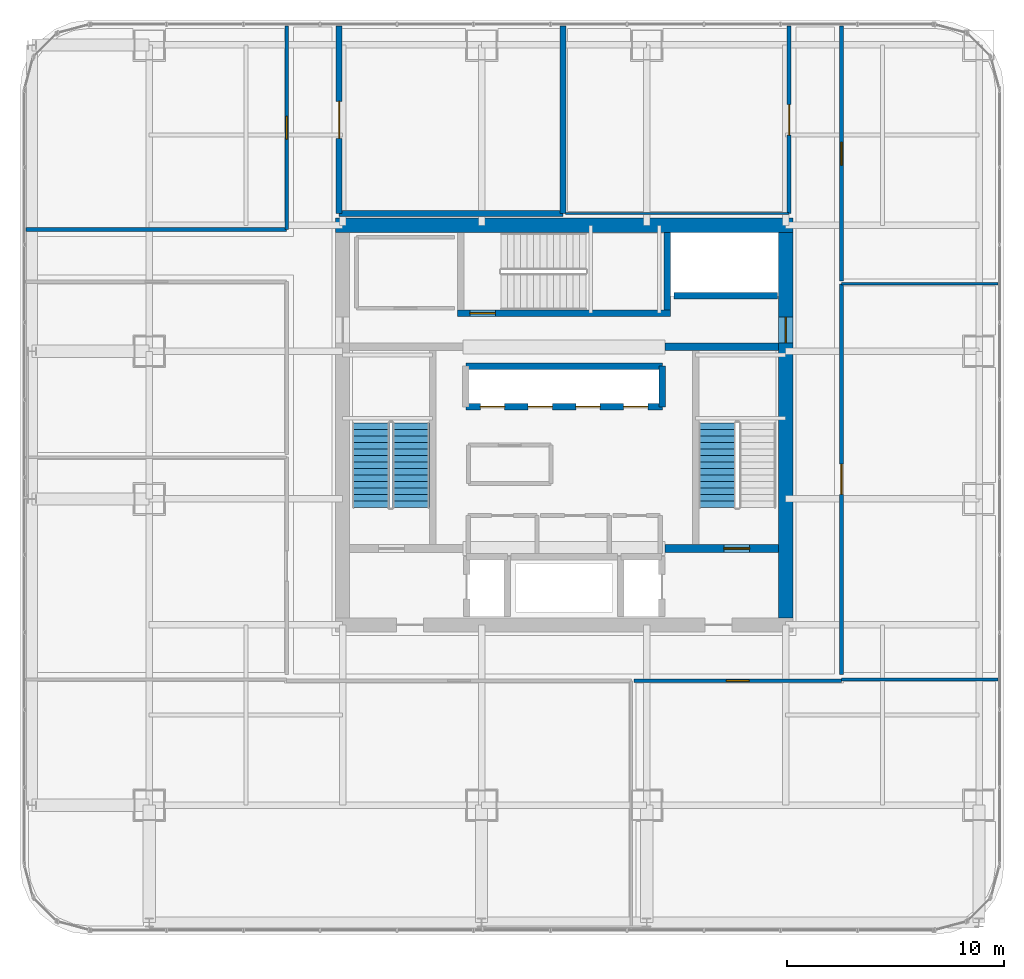
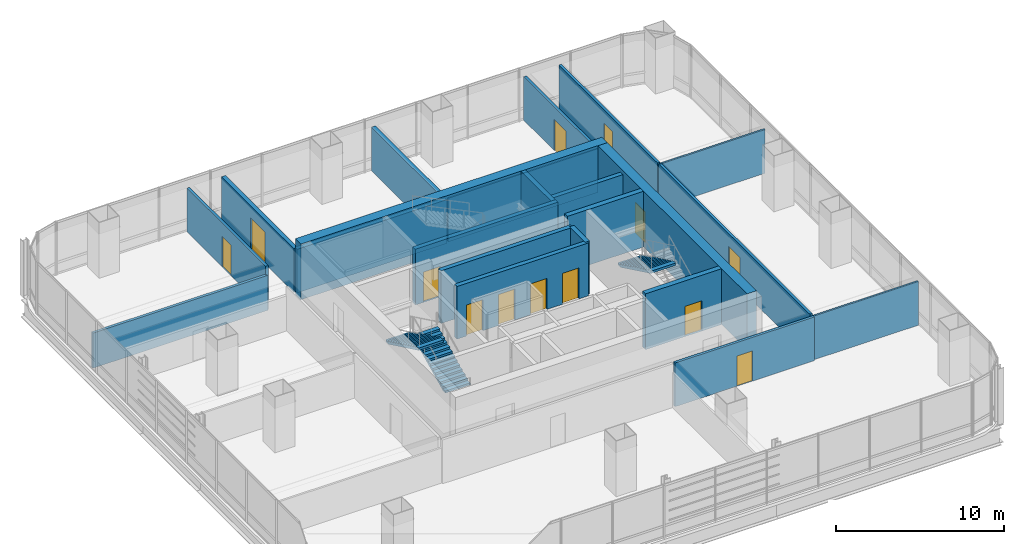
# One storey, part 30 of 36: 22 walls, 13 doors, 3 stair flights, 13 openings, 2 elements without a shape of their own.
"""IFC4 building model written with IfcOpenShell, lengths in metres."""

from ifc_helpers import new_model, si_unit, direction, frame, frame_2d, origin, place, context, subcontext, project, spatial, polyline, rectangle, outline, extrude, material, layer, layer_set, type_object, element, fill, aggregate, save


model = new_model("IFC4")

# Units and contexts
model_context = context("Model", 3, precision=1e-05, world=origin(), true_north=direction((0.0, 1.0)))
body_context = subcontext(model_context, "Body", "Model", "MODEL_VIEW")
ifc_project = project(units=[si_unit("LENGTHUNIT", "METRE"), si_unit("AREAUNIT", "SQUARE_METRE"), si_unit("VOLUMEUNIT", "CUBIC_METRE"), si_unit("PLANEANGLEUNIT", "RADIAN"), si_unit("MASSUNIT", "GRAM", prefix="KILO")], contexts=[model_context])

# Site, building, storey
site_placement = place(None, origin())
site = spatial("IfcSite", under=ifc_project, at=site_placement, CompositionType="ELEMENT")
building_placement = place(site_placement, origin())
building = spatial("IfcBuilding", under=site, at=building_placement, Name="Punatoya Terracotta Tower", CompositionType="ELEMENT")
storey_placement = place(building_placement, frame((0.0, 0.0, 176.25)))
storey = spatial("IfcBuildingStorey", under=building, at=storey_placement, Name="L41", CompositionType="ELEMENT", Elevation=176.25)

# Walls
ifc_material_1 = material(Name="Concrete C40/50", Category="concrete")
ifc_layer_1 = layer(ifc_material_1, 0.280029296875)
ifc_layer_set_1 = layer_set([ifc_layer_1], Name="Concrete C40/50")
wall_type_1 = type_object("IfcWallType", Name="WL-AUD-280", PredefinedType="SOLIDWALL", material=ifc_layer_set_1)
wall_1_placement = place(storey_placement, frame((-0.06005859375, 18.3701171875, 0.0), z_axis=(0.0, 0.0, 1.0), x_axis=(0.0, -1.0, 0.0)))
element("IfcWall", 1, at=wall_1_placement, inside=storey, type_object=wall_type_1, Name="L41 Open-Plan Fitness Movement Lounge Partition 29", PredefinedType="SOLIDWALL", context=body_context, shape_type="SweptSolid", body=[
    extrude(rectangle(XDim=8.630126953125, YDim=0.280029296875, at=frame_2d((4.31494140625, 0.0))), origin(), (0.0, 0.0, 1.0), 3.174072265625),
])
wall_2_placement = place(storey_placement, frame((-0.06005859375, 9.739990234375, 0.0), z_axis=(0.0, 0.0, 1.0), x_axis=(-1.0, 0.0, 0.0)))
element("IfcWall", 2, at=wall_2_placement, inside=storey, type_object=wall_type_1, Name="L41 Open-Plan Fitness Movement Lounge Partition 30", PredefinedType="SOLIDWALL", context=body_context, shape_type="SweptSolid", body=[
    extrude(rectangle(XDim=10.300048828125, YDim=0.280029296875, at=frame_2d((5.14990234375, 0.0))), origin(), (0.0, 0.0, 1.0), 3.174072265625),
])

# Wall, opening, door
wall_3_placement = place(storey_placement, frame((-10.360107421875, 9.739990234375, 0.0), z_axis=(0.0, 0.0, 1.0), x_axis=(0.0, 1.0, 0.0)))
wall_3 = element("IfcWall", 3, at=wall_3_placement, inside=storey, type_object=wall_type_1, Name="L41 Open-Plan Fitness Movement Lounge Partition 31", PredefinedType="SOLIDWALL", context=body_context, shape_type="SweptSolid", body=[
    extrude(rectangle(XDim=8.630126953125, YDim=0.280029296875, at=frame_2d((4.31494140625, 0.0))), origin(), (0.0, 0.0, 1.0), 3.174072265625),
])
opening_1_placement = place(wall_3_placement, frame((3.465087890625, 0.0, 0.0)))
opening_1 = element("IfcOpeningElement", 4, at=opening_1_placement, cuts=wall_3, Name="Opening FD-D1", PredefinedType="OPENING", context=body_context, shape_type="SweptSolid", body=[
    extrude(rectangle(XDim=1.699951171875, YDim=2.300048828125, at=frame_2d((0.85009765625, 1.14990234375))), frame((0.0, 0.14990234375, 0.0), z_axis=(0.0, -1.0, 0.0), x_axis=(1.0, 0.0, 0.0)), (0.0, 0.0, 1.0), 0.300048828125),
])
ifc_material_2 = material(Name="Timber Teak Veneer Fire Leaf", Category="wood")
door_type_1 = type_object("IfcDoorType", Name="DR-DIN-1700", OperationType="NOTDEFINED", PredefinedType="DOOR", material=ifc_material_2)
door_1_placement = place(opening_1_placement, origin())
door_1 = element("IfcDoor", 5, at=door_1_placement, inside=storey, type_object=door_type_1, Name="L41 Open-Plan Fitness Movement Lounge Fire Door", OperationType="DOUBLE_DOOR_SINGLE_SWING", OverallHeight=2.300048828125, OverallWidth=1.699951171875, PredefinedType="DOOR", context=body_context, shape_type="SweptSolid", body=[
    extrude(rectangle(XDim=1.699951171875, YDim=2.300048828125, at=frame_2d((0.85009765625, 1.14990234375))), frame((0.0, 0.02490234375, 0.0), z_axis=(0.0, -1.0, 0.0), x_axis=(1.0, 0.0, 0.0)), (0.0, 0.0, 1.0), 0.050048828125),
])
fill(opening_1, door_1)

# Wall
ifc_material_3 = material(Name="Concrete C60/75", Category="concrete")
ifc_layer_2 = layer(ifc_material_3, 0.64990234375)
ifc_layer_set_2 = layer_set([ifc_layer_2], Name="Concrete C60/75")
wall_type_2 = type_object("IfcWallType", Name="WL-COR-650", PredefinedType="SHEAR", material=ifc_layer_set_2)
wall_4_placement = place(storey_placement, frame((-10.52490234375, 9.199951171875, 0.0), z_axis=(0.0, 0.0, 1.0), x_axis=(1.0, 0.0, 0.0)))
element("IfcWall", 6, at=wall_4_placement, inside=storey, type_object=wall_type_2, Name="L41 Core Shear Wall N", PredefinedType="SHEAR", context=body_context, shape_type="SweptSolid", body=[
    extrude(rectangle(XDim=21.0498046875, YDim=0.64990234375, at=frame_2d((10.52490234375, 0.0))), origin(), (0.0, 0.0, 1.0), 4.050048828125),
])

# Wall, opening, door
wall_5_placement = place(storey_placement, frame((10.199951171875, 8.875, 0.0), z_axis=(0.0, 0.0, 1.0), x_axis=(0.0, -1.0, 0.0)))
wall_5 = element("IfcWall", 7, at=wall_5_placement, inside=storey, type_object=wall_type_2, Name="L41 Core Shear Wall E", PredefinedType="SHEAR", context=body_context, shape_type="SweptSolid", body=[
    extrude(rectangle(XDim=17.75, YDim=0.64990234375, at=frame_2d((8.875, 0.0))), origin(), (0.0, 0.0, 1.0), 4.050048828125),
])
opening_2_placement = place(wall_5_placement, frame((3.905029296875, 0.0, 0.0)))
opening_2 = element("IfcOpeningElement", 8, at=opening_2_placement, cuts=wall_5, Name="Opening SD-01", PredefinedType="OPENING", context=body_context, shape_type="SweptSolid", body=[
    extrude(rectangle(XDim=1.179931640625, YDim=2.199951171875, at=frame_2d((0.58984375, 1.10009765625))), frame((0.0, 0.3349609375, 0.0), z_axis=(0.0, -1.0, 0.0), x_axis=(1.0, 0.0, 0.0)), (0.0, 0.0, 1.0), 0.669921875),
])
ifc_material_4 = material(Name="Galvanised Steel Pressurized Stair Fire Door", Category="steel")
door_type_2 = type_object("IfcDoorType", Name="DR-STR-1180", OperationType="NOTDEFINED", PredefinedType="DOOR", material=ifc_material_4)
door_2_placement = place(opening_2_placement, origin())
door_2 = element("IfcDoor", 9, at=door_2_placement, inside=storey, type_object=door_type_2, Name="L41 Central Lift Lobby East Fire Door", OperationType="SINGLE_SWING_RIGHT", OverallHeight=2.199951171875, OverallWidth=1.179931640625, PredefinedType="DOOR", context=body_context, shape_type="SweptSolid", body=[
    extrude(rectangle(XDim=1.179931640625, YDim=2.199951171875, at=frame_2d((0.58984375, 1.10009765625))), frame((0.0, 0.02490234375, 0.0), z_axis=(0.0, -1.0, 0.0), x_axis=(1.0, 0.0, 0.0)), (0.0, 0.0, 1.0), 0.050048828125),
])
fill(opening_2, door_2)

ifc_material_5 = material(Name="Gypsum Fireboard + Steel Stud", Category="steel")
ifc_layer_3 = layer(ifc_material_5, 0.179931640625)
ifc_layer_set_3 = layer_set([ifc_layer_3], Name="Gypsum Fireboard + Steel Stud")
wall_type_3 = type_object("IfcWallType", Name="WL-CORR-180", PredefinedType="PARTITIONING", material=ifc_layer_set_3)
wall_6_placement = place(storey_placement, frame((3.216064453125, -11.77001953125, 0.0), z_axis=(0.0, 0.0, 1.0), x_axis=(1.0, 0.0, 0.0)))
wall_6 = element("IfcWall", 10, at=wall_6_placement, inside=storey, type_object=wall_type_3, Name="L41 Occupational Rest Lounge Partition 19", PredefinedType="PARTITIONING", context=body_context, shape_type="SweptSolid", body=[
    extrude(rectangle(XDim=9.553955078125, YDim=0.179931640625, at=frame_2d((4.77685546875, 0.0))), origin(), (0.0, 0.0, 1.0), 3.174072265625),
])
opening_3_placement = place(wall_6_placement, frame((4.251953125, 0.0, 0.0)))
opening_3 = element("IfcOpeningElement", 11, at=opening_3_placement, cuts=wall_6, Name="Opening OD-01", PredefinedType="OPENING", context=body_context, shape_type="SweptSolid", body=[
    extrude(rectangle(XDim=1.050048828125, YDim=2.199951171875, at=frame_2d((0.52490234375, 1.10009765625))), frame((0.0, 0.099853515625, 0.0), z_axis=(0.0, -1.0, 0.0), x_axis=(1.0, 0.0, 0.0)), (0.0, 0.0, 1.0), 0.199951171875),
])
ifc_material_6 = material(Name="Bengal Teak Solid-Core Leaf")
door_type_3 = type_object("IfcDoorType", Name="DR-OFF-1050", OperationType="NOTDEFINED", PredefinedType="DOOR", material=ifc_material_6)
door_3_placement = place(opening_3_placement, origin())
door_3 = element("IfcDoor", 12, at=door_3_placement, inside=storey, type_object=door_type_3, Name="L41 Occupational Rest Lounge Door", OperationType="SINGLE_SWING_RIGHT", OverallHeight=2.199951171875, OverallWidth=1.050048828125, PredefinedType="DOOR", context=body_context, shape_type="SweptSolid", body=[
    extrude(rectangle(XDim=1.050048828125, YDim=2.199951171875, at=frame_2d((0.52490234375, 1.10009765625))), frame((0.0, 0.02490234375, 0.0), z_axis=(0.0, -1.0, 0.0), x_axis=(1.0, 0.0, 0.0)), (0.0, 0.0, 1.0), 0.050048828125),
])
fill(opening_3, door_3)

wall_7_placement = place(storey_placement, frame((12.77001953125, -11.489990234375, 0.0), z_axis=(0.0, 0.0, 1.0), x_axis=(0.0, 1.0, 0.0)))
wall_7 = element("IfcWall", 13, at=wall_7_placement, inside=storey, type_object=wall_type_3, Name="L41 Open-Plan Leadership Training Classroom Partition 23", PredefinedType="PARTITIONING", context=body_context, shape_type="SweptSolid", body=[
    extrude(rectangle(XDim=17.992919921875, YDim=0.179931640625, at=frame_2d((8.99658203125, 0.0))), origin(), (0.0, 0.0, 1.0), 3.174072265625),
])
opening_4_placement = place(wall_7_placement, frame((8.29638671875, 0.0, 0.0)))
opening_4 = element("IfcOpeningElement", 14, at=opening_4_placement, cuts=wall_7, Name="Opening BD-01", PredefinedType="OPENING", context=body_context, shape_type="SweptSolid", body=[
    extrude(rectangle(XDim=1.39990234375, YDim=2.25, at=frame_2d((0.699951171875, 1.125))), frame((0.0, 0.099853515625, 0.0), z_axis=(0.0, -1.0, 0.0), x_axis=(1.0, 0.0, 0.0)), (0.0, 0.0, 1.0), 0.199951171875),
])
ifc_material_7 = material(Name="Bengal Teak Acoustic Leaf")
door_type_4 = type_object("IfcDoorType", Name="DR-BRD-1400", OperationType="NOTDEFINED", PredefinedType="DOOR", material=ifc_material_7)
door_4_placement = place(opening_4_placement, origin())
door_4 = element("IfcDoor", 15, at=door_4_placement, inside=storey, type_object=door_type_4, Name="L41 Open-Plan Leadership Training Classroom Door", OperationType="SINGLE_SWING_RIGHT", OverallHeight=2.25, OverallWidth=1.39990234375, PredefinedType="DOOR", context=body_context, shape_type="SweptSolid", body=[
    extrude(rectangle(XDim=1.39990234375, YDim=2.25, at=frame_2d((0.699951171875, 1.125))), frame((0.0, 0.02490234375, 0.0), z_axis=(0.0, -1.0, 0.0), x_axis=(1.0, 0.0, 0.0)), (0.0, 0.0, 1.0), 0.050048828125),
])
fill(opening_4, door_4)

wall_8_placement = place(storey_placement, frame((12.77001953125, 6.623046875, 0.0), z_axis=(0.0, 0.0, 1.0), x_axis=(0.0, 1.0, 0.0)))
wall_8 = element("IfcWall", 16, at=wall_8_placement, inside=storey, type_object=wall_type_3, Name="L41 Open-Plan Mindfulness Wellness Room Partition 26", PredefinedType="PARTITIONING", context=body_context, shape_type="SweptSolid", body=[
    extrude(rectangle(XDim=11.7470703125, YDim=0.179931640625, at=frame_2d((5.87353515625, 0.0))), origin(), (0.0, 0.0, 1.0), 3.174072265625),
])
opening_5_placement = place(wall_8_placement, frame((5.348388671875, 0.0, 0.0)))
opening_5 = element("IfcOpeningElement", 17, at=opening_5_placement, cuts=wall_8, Name="Opening OD-01", PredefinedType="OPENING", context=body_context, shape_type="SweptSolid", body=[
    extrude(rectangle(XDim=1.050048828125, YDim=2.199951171875, at=frame_2d((0.52490234375, 1.10009765625))), frame((0.0, 0.099853515625, 0.0), z_axis=(0.0, -1.0, 0.0), x_axis=(1.0, 0.0, 0.0)), (0.0, 0.0, 1.0), 0.199951171875),
])
door_5_placement = place(opening_5_placement, origin())
door_5 = element("IfcDoor", 18, at=door_5_placement, inside=storey, type_object=door_type_3, Name="L41 Open-Plan Mindfulness Wellness Room Door", OperationType="SINGLE_SWING_RIGHT", OverallHeight=2.199951171875, OverallWidth=1.050048828125, PredefinedType="DOOR", context=body_context, shape_type="SweptSolid", body=[
    extrude(rectangle(XDim=1.050048828125, YDim=2.199951171875, at=frame_2d((0.52490234375, 1.10009765625))), frame((0.0, 0.02490234375, 0.0), z_axis=(0.0, -1.0, 0.0), x_axis=(1.0, 0.0, 0.0)), (0.0, 0.0, 1.0), 0.050048828125),
])
fill(opening_5, door_5)

wall_9_placement = place(storey_placement, frame((-12.77001953125, 18.3701171875, 0.0), z_axis=(0.0, 0.0, 1.0), x_axis=(0.0, -1.0, 0.0)))
wall_9 = element("IfcWall", 19, at=wall_9_placement, inside=storey, type_object=wall_type_3, Name="L41 Open-Plan Cultural Reading Library Partition 27", PredefinedType="PARTITIONING", context=body_context, shape_type="SweptSolid", body=[
    extrude(rectangle(XDim=9.3701171875, YDim=0.179931640625, at=frame_2d((4.68505859375, 0.0))), origin(), (0.0, 0.0, 1.0), 3.174072265625),
])
opening_6_placement = place(wall_9_placement, frame((4.159912109375, 0.0, 0.0)))
opening_6 = element("IfcOpeningElement", 20, at=opening_6_placement, cuts=wall_9, Name="Opening OD-01", PredefinedType="OPENING", context=body_context, shape_type="SweptSolid", body=[
    extrude(rectangle(XDim=1.050048828125, YDim=2.199951171875, at=frame_2d((0.52490234375, 1.10009765625))), frame((0.0, 0.099853515625, 0.0), z_axis=(0.0, -1.0, 0.0), x_axis=(1.0, 0.0, 0.0)), (0.0, 0.0, 1.0), 0.199951171875),
])
door_6_placement = place(opening_6_placement, origin())
door_6 = element("IfcDoor", 21, at=door_6_placement, inside=storey, type_object=door_type_3, Name="L41 Open-Plan Cultural Reading Library Door", OperationType="SINGLE_SWING_LEFT", OverallHeight=2.199951171875, OverallWidth=1.050048828125, PredefinedType="DOOR", context=body_context, shape_type="SweptSolid", body=[
    extrude(rectangle(XDim=1.050048828125, YDim=2.199951171875, at=frame_2d((0.52490234375, 1.10009765625))), frame((0.0, 0.02490234375, 0.0), z_axis=(0.0, -1.0, 0.0), x_axis=(1.0, 0.0, 0.0)), (0.0, 0.0, 1.0), 0.050048828125),
])
fill(opening_6, door_6)

# Wall
wall_10_placement = place(storey_placement, frame((-12.77001953125, 9.0, 0.0), z_axis=(0.0, 0.0, 1.0), x_axis=(-1.0, 0.0, 0.0)))
element("IfcWall", 22, at=wall_10_placement, inside=storey, type_object=wall_type_3, Name="L41 Open-Plan Cultural Reading Library Partition 28", PredefinedType="PARTITIONING", context=body_context, shape_type="SweptSolid", body=[
    extrude(rectangle(XDim=12.0, YDim=0.179931640625, at=frame_2d((6.0, 0.0))), origin(), (0.0, 0.0, 1.0), 2.5439453125),
])

# Wall, opening, door
wall_11_placement = place(storey_placement, frame((10.360107421875, 18.3701171875, 0.0), z_axis=(0.0, 0.0, 1.0), x_axis=(0.0, -1.0, 0.0)))
wall_11 = element("IfcWall", 23, at=wall_11_placement, inside=storey, type_object=wall_type_3, Name="L41 Open-Plan Seminar Discussion Room Partition 33", PredefinedType="PARTITIONING", context=body_context, shape_type="SweptSolid", body=[
    extrude(rectangle(XDim=8.630126953125, YDim=0.179931640625, at=frame_2d((4.31494140625, 0.0))), origin(), (0.0, 0.0, 1.0), 3.174072265625),
])
opening_7_placement = place(wall_11_placement, frame((3.614990234375, 0.0, 0.0)))
opening_7 = element("IfcOpeningElement", 24, at=opening_7_placement, cuts=wall_11, Name="Opening BD-01", PredefinedType="OPENING", context=body_context, shape_type="SweptSolid", body=[
    extrude(rectangle(XDim=1.39990234375, YDim=2.25, at=frame_2d((0.699951171875, 1.125))), frame((0.0, 0.099853515625, 0.0), z_axis=(0.0, -1.0, 0.0), x_axis=(1.0, 0.0, 0.0)), (0.0, 0.0, 1.0), 0.199951171875),
])
door_7_placement = place(opening_7_placement, origin())
door_7 = element("IfcDoor", 25, at=door_7_placement, inside=storey, type_object=door_type_4, Name="L41 Open-Plan Seminar Discussion Room Door", OperationType="SINGLE_SWING_LEFT", OverallHeight=2.25, OverallWidth=1.39990234375, PredefinedType="DOOR", context=body_context, shape_type="SweptSolid", body=[
    extrude(rectangle(XDim=1.39990234375, YDim=2.25, at=frame_2d((0.699951171875, 1.125))), frame((0.0, 0.02490234375, 0.0), z_axis=(0.0, -1.0, 0.0), x_axis=(1.0, 0.0, 0.0)), (0.0, 0.0, 1.0), 0.050048828125),
])
fill(opening_7, door_7)

# Walls
ifc_material_8 = material(Name="Aluminium Framed Acoustic Glass Partition", Category="aluminium")
ifc_layer_4 = layer(ifc_material_8, 0.10009765625)
ifc_layer_set_4 = layer_set([ifc_layer_4], Name="Aluminium Framed Acoustic Glass Partition")
wall_type_4 = type_object("IfcWallType", Name="WL-GLZ-100", PredefinedType="PARTITIONING", material=ifc_layer_set_4)
wall_12_placement = place(storey_placement, frame((10.360107421875, 9.739990234375, 0.0), z_axis=(0.0, 0.0, 1.0), x_axis=(-1.0, 0.0, 0.0)))
element("IfcWall", 26, at=wall_12_placement, inside=storey, type_object=wall_type_4, Name="L41 Open-Plan Seminar Discussion Room Partition 32", PredefinedType="PARTITIONING", context=body_context, shape_type="SweptSolid", body=[
    extrude(rectangle(XDim=10.300048828125, YDim=0.10009765625, at=frame_2d((5.14990234375, 0.0))), origin(), (0.0, 0.0, 1.0), 3.174072265625),
])
ifc_material_9 = material(Name="Gypsum Partition + Steel Stud", Category="steel")
ifc_layer_5 = layer(ifc_material_9, 0.1201171875)
ifc_layer_set_5 = layer_set([ifc_layer_5], Name="Gypsum Partition + Steel Stud")
wall_type_5 = type_object("IfcWallType", Name="WL-OFF-120", PredefinedType="PARTITIONING", material=ifc_layer_set_5)
for number, where, z_axis, x_axis, name in (
    (27, (12.77001953125, -11.7099609375, 0.0), (0.0, 0.0, 1.0), (1.0, 0.0, 0.0), "L41 Occupational Rest Lounge Partition 18"),
    (28, (12.77001953125, 6.5029296875, 0.0), (0.0, 0.0, 1.0), (1.0, 0.0, 0.0), "L41 Open-Plan Leadership Training Classroom Partition 22"),
):
    element("IfcWall", number, at=place(storey_placement, frame(where, z_axis=z_axis, x_axis=x_axis)), inside=storey, type_object=wall_type_5, Name=name, PredefinedType="PARTITIONING", context=body_context, shape_type="SweptSolid", body=[
        extrude(rectangle(XDim=7.199951171875, YDim=0.1201171875, at=frame_2d((3.60009765625, 0.0))), origin(), (0.0, 0.0, 1.0), 3.174072265625),
    ])
ifc_layer_6 = layer(ifc_material_1, 0.300048828125)
ifc_layer_set_6 = layer_set([ifc_layer_6], Name="Concrete C40/50")
wall_type_6 = type_object("IfcWallType", Name="WL-SHF-300", PredefinedType="SOLIDWALL", material=ifc_layer_set_6)
wall_13_placement = place(storey_placement, frame((4.75, 8.875, 0.0), z_axis=(0.0, 0.0, 1.0), x_axis=(0.0, -1.0, 0.0)))
element("IfcWall", 29, at=wall_13_placement, inside=storey, type_object=wall_type_6, Name="L41 Structural Stair Shaft Wall SW-ST3-E", PredefinedType="SOLIDWALL", context=body_context, shape_type="SweptSolid", body=[
    extrude(rectangle(XDim=3.574951171875, YDim=0.300048828125, at=frame_2d((1.78759765625, 0.0))), origin(), (0.0, 0.0, 1.0), 4.050048828125),
])

# Wall, opening, door
wall_14_placement = place(storey_placement, frame((-4.89990234375, 5.14990234375, 0.0), z_axis=(0.0, 0.0, 1.0), x_axis=(1.0, 0.0, 0.0)))
wall_14 = element("IfcWall", 30, at=wall_14_placement, inside=storey, type_object=wall_type_6, Name="L41 Structural Stair Shaft Wall SW-ST3-S", PredefinedType="SOLIDWALL", context=body_context, shape_type="SweptSolid", body=[
    extrude(rectangle(XDim=9.7998046875, YDim=0.300048828125, at=frame_2d((4.89990234375, 0.0))), origin(), (0.0, 0.0, 1.0), 4.050048828125),
])
opening_8_placement = place(wall_14_placement, frame((0.56005859375, 0.0, 0.0)))
opening_8 = element("IfcOpeningElement", 31, at=opening_8_placement, cuts=wall_14, Name="Opening SD-01", PredefinedType="OPENING", context=body_context, shape_type="SweptSolid", body=[
    extrude(rectangle(XDim=1.179931640625, YDim=2.199951171875, at=frame_2d((0.58984375, 1.10009765625))), frame((0.0, 0.159912109375, 0.0), z_axis=(0.0, -1.0, 0.0), x_axis=(1.0, 0.0, 0.0)), (0.0, 0.0, 1.0), 0.320068359375),
])
door_8_placement = place(opening_8_placement, origin())
door_8 = element("IfcDoor", 32, at=door_8_placement, inside=storey, type_object=door_type_2, Name="L41 Stair ST-3 Core Lobby Fire Door", OperationType="SINGLE_SWING_LEFT", OverallHeight=2.199951171875, OverallWidth=1.179931640625, PredefinedType="DOOR", context=body_context, shape_type="SweptSolid", body=[
    extrude(rectangle(XDim=1.179931640625, YDim=2.199951171875, at=frame_2d((0.58984375, 1.10009765625))), frame((0.0, 0.02490234375, 0.0), z_axis=(0.0, -1.0, 0.0), x_axis=(1.0, 0.0, 0.0)), (0.0, 0.0, 1.0), 0.050048828125),
])
fill(opening_8, door_8)

# Wall, openings, doors
wall_15_placement = place(storey_placement, frame((-4.52001953125, 0.840087890625, 0.0), z_axis=(0.0, 0.0, 1.0), x_axis=(1.0, 0.0, 0.0)))
wall_15 = element("IfcWall", 33, at=wall_15_placement, inside=storey, type_object=wall_type_6, Name="L41 North Lift Bank Front Shaft Wall", PredefinedType="SOLIDWALL", context=body_context, shape_type="SweptSolid", body=[
    extrude(rectangle(XDim=9.0400390625, YDim=0.300048828125, at=frame_2d((4.52001953125, 0.0))), origin(), (0.0, 0.0, 1.0), 3.830078125),
])
opening_9_placement = place(wall_15_placement, frame((0.659912109375, 0.0, 0.0)))
opening_9 = element("IfcOpeningElement", 34, at=opening_9_placement, cuts=wall_15, Name="Opening LD-02", PredefinedType="OPENING", context=body_context, shape_type="SweptSolid", body=[
    extrude(rectangle(XDim=1.1201171875, YDim=2.25, at=frame_2d((0.56005859375, 1.125))), frame((0.0, 0.159912109375, 0.0), z_axis=(0.0, -1.0, 0.0), x_axis=(1.0, 0.0, 0.0)), (0.0, 0.0, 1.0), 0.320068359375),
])
opening_10_placement = place(wall_15_placement, frame((2.860107421875, 0.0, 0.0)))
opening_10 = element("IfcOpeningElement", 35, at=opening_10_placement, cuts=wall_15, Name="Opening LD-02", PredefinedType="OPENING", context=body_context, shape_type="SweptSolid", body=[
    extrude(rectangle(XDim=1.1201171875, YDim=2.25, at=frame_2d((0.56005859375, 1.125))), frame((0.0, 0.159912109375, 0.0), z_axis=(0.0, -1.0, 0.0), x_axis=(1.0, 0.0, 0.0)), (0.0, 0.0, 1.0), 0.320068359375),
])
opening_11_placement = place(wall_15_placement, frame((5.06005859375, 0.0, 0.0)))
opening_11 = element("IfcOpeningElement", 36, at=opening_11_placement, cuts=wall_15, Name="Opening LD-02", PredefinedType="OPENING", context=body_context, shape_type="SweptSolid", body=[
    extrude(rectangle(XDim=1.1201171875, YDim=2.25, at=frame_2d((0.56005859375, 1.125))), frame((0.0, 0.159912109375, 0.0), z_axis=(0.0, -1.0, 0.0), x_axis=(1.0, 0.0, 0.0)), (0.0, 0.0, 1.0), 0.320068359375),
])
opening_12_placement = place(wall_15_placement, frame((7.260009765625, 0.0, 0.0)))
opening_12 = element("IfcOpeningElement", 37, at=opening_12_placement, cuts=wall_15, Name="Opening LD-02", PredefinedType="OPENING", context=body_context, shape_type="SweptSolid", body=[
    extrude(rectangle(XDim=1.1201171875, YDim=2.25, at=frame_2d((0.56005859375, 1.125))), frame((0.0, 0.159912109375, 0.0), z_axis=(0.0, -1.0, 0.0), x_axis=(1.0, 0.0, 0.0)), (0.0, 0.0, 1.0), 0.320068359375),
])
ifc_material_10 = material(Name="Stainless Steel Lift Landing Door", Category="steel")
door_type_5 = type_object("IfcDoorType", Name="DR-LND-1120", OperationType="NOTDEFINED", PredefinedType="DOOR", material=ifc_material_10)
door_9_placement = place(opening_9_placement, origin())
door_9 = element("IfcDoor", 38, at=door_9_placement, inside=storey, type_object=door_type_5, Name="L41 Lift PL-M1 Sliding Landing Door", OperationType="DOUBLE_DOOR_SLIDING", OverallHeight=2.25, OverallWidth=1.1201171875, PredefinedType="DOOR", context=body_context, shape_type="SweptSolid", body=[
    extrude(rectangle(XDim=1.1201171875, YDim=2.25, at=frame_2d((0.56005859375, 1.125))), frame((0.0, 0.02490234375, 0.0), z_axis=(0.0, -1.0, 0.0), x_axis=(1.0, 0.0, 0.0)), (0.0, 0.0, 1.0), 0.050048828125),
])
fill(opening_9, door_9)
door_10_placement = place(opening_10_placement, origin())
door_10 = element("IfcDoor", 39, at=door_10_placement, inside=storey, type_object=door_type_5, Name="L41 Lift PL-M2 Sliding Landing Door", OperationType="DOUBLE_DOOR_SLIDING", OverallHeight=2.25, OverallWidth=1.1201171875, PredefinedType="DOOR", context=body_context, shape_type="SweptSolid", body=[
    extrude(rectangle(XDim=1.1201171875, YDim=2.25, at=frame_2d((0.56005859375, 1.125))), frame((0.0, 0.02490234375, 0.0), z_axis=(0.0, -1.0, 0.0), x_axis=(1.0, 0.0, 0.0)), (0.0, 0.0, 1.0), 0.050048828125),
])
fill(opening_10, door_10)
door_11_placement = place(opening_11_placement, origin())
door_11 = element("IfcDoor", 40, at=door_11_placement, inside=storey, type_object=door_type_5, Name="L41 Lift PL-M3 Sliding Landing Door", OperationType="DOUBLE_DOOR_SLIDING", OverallHeight=2.25, OverallWidth=1.1201171875, PredefinedType="DOOR", context=body_context, shape_type="SweptSolid", body=[
    extrude(rectangle(XDim=1.1201171875, YDim=2.25, at=frame_2d((0.56005859375, 1.125))), frame((0.0, 0.02490234375, 0.0), z_axis=(0.0, -1.0, 0.0), x_axis=(1.0, 0.0, 0.0)), (0.0, 0.0, 1.0), 0.050048828125),
])
fill(opening_11, door_11)
door_12_placement = place(opening_12_placement, origin())
door_12 = element("IfcDoor", 41, at=door_12_placement, inside=storey, type_object=door_type_5, Name="L41 Lift PL-M4 Sliding Landing Door", OperationType="DOUBLE_DOOR_SLIDING", OverallHeight=2.25, OverallWidth=1.1201171875, PredefinedType="DOOR", context=body_context, shape_type="SweptSolid", body=[
    extrude(rectangle(XDim=1.1201171875, YDim=2.25, at=frame_2d((0.56005859375, 1.125))), frame((0.0, 0.02490234375, 0.0), z_axis=(0.0, -1.0, 0.0), x_axis=(1.0, 0.0, 0.0)), (0.0, 0.0, 1.0), 0.050048828125),
])
fill(opening_12, door_12)

# Walls
wall_16_placement = place(storey_placement, frame((-4.52001953125, 2.719970703125, 0.0), z_axis=(0.0, 0.0, 1.0), x_axis=(1.0, 0.0, 0.0)))
element("IfcWall", 42, at=wall_16_placement, inside=storey, type_object=wall_type_6, Name="L41 North Lift Bank Rear Shaft Wall", PredefinedType="SOLIDWALL", context=body_context, shape_type="SweptSolid", body=[
    extrude(rectangle(XDim=9.0400390625, YDim=0.300048828125, at=frame_2d((4.52001953125, 0.0))), origin(), (0.0, 0.0, 1.0), 3.830078125),
])
wall_17_placement = place(storey_placement, frame((4.52001953125, 0.840087890625, 0.0), z_axis=(0.0, 0.0, 1.0), x_axis=(0.0, 1.0, 0.0)))
element("IfcWall", 43, at=wall_17_placement, inside=storey, type_object=wall_type_6, Name="L41 North Lift Bank East End Wall", PredefinedType="SOLIDWALL", context=body_context, shape_type="SweptSolid", body=[
    extrude(rectangle(XDim=1.8798828125, YDim=0.300048828125, at=frame_2d((0.93994140625, 0.0))), origin(), (0.0, 0.0, 1.0), 3.830078125),
])
wall_18_placement = place(storey_placement, frame((5.06005859375, 5.949951171875, 0.0), z_axis=(0.0, 0.0, 1.0), x_axis=(1.0, 0.0, 0.0)))
element("IfcWall", 44, at=wall_18_placement, inside=storey, type_object=wall_type_6, Name="L41 Shuttle SL-2 South Hoistway Wall", PredefinedType="SOLIDWALL", context=body_context, shape_type="SweptSolid", body=[
    extrude(rectangle(XDim=4.760009765625, YDim=0.300048828125, at=frame_2d((2.3798828125, 0.0))), origin(), (0.0, 0.0, 1.0), 3.830078125),
])

# Wall, opening, door
ifc_material_11 = material(Name="Concrete C50/60", Category="concrete")
ifc_layer_7 = layer(ifc_material_11, 0.35009765625)
ifc_layer_set_7 = layer_set([ifc_layer_7], Name="Concrete C50/60")
wall_type_7 = type_object("IfcWallType", Name="WL-SHF-350", PredefinedType="SOLIDWALL", material=ifc_layer_set_7)
wall_19_placement = place(storey_placement, frame((4.64990234375, -5.679931640625, 0.0), z_axis=(0.0, 0.0, 1.0), x_axis=(1.0, 0.0, 0.0)))
wall_19 = element("IfcWall", 45, at=wall_19_placement, inside=storey, type_object=wall_type_7, Name="L41 Core Web Wall CSW-R", PredefinedType="SOLIDWALL", context=body_context, shape_type="SweptSolid", body=[
    extrude(rectangle(XDim=5.22509765625, YDim=0.35009765625, at=frame_2d((2.612548828125, 0.0))), origin(), (0.0, 0.0, 1.0), 4.050048828125),
])
opening_13_placement = place(wall_19_placement, frame((2.7099609375, 0.0, 0.0)))
opening_13 = element("IfcOpeningElement", 46, at=opening_13_placement, cuts=wall_19, Name="Opening SD-01", PredefinedType="OPENING", context=body_context, shape_type="SweptSolid", body=[
    extrude(rectangle(XDim=1.179931640625, YDim=2.199951171875, at=frame_2d((0.58984375, 1.10009765625))), frame((0.0, 0.18505859375, 0.0), z_axis=(0.0, -1.0, 0.0), x_axis=(1.0, 0.0, 0.0)), (0.0, 0.0, 1.0), 0.3701171875),
])
door_13_placement = place(opening_13_placement, origin())
door_13 = element("IfcDoor", 47, at=door_13_placement, inside=storey, type_object=door_type_2, Name="L41 Stair ST-2 Smokeproof Lobby Fire Door", OperationType="SINGLE_SWING_RIGHT", OverallHeight=2.199951171875, OverallWidth=1.179931640625, PredefinedType="DOOR", context=body_context, shape_type="SweptSolid", body=[
    extrude(rectangle(XDim=1.179931640625, YDim=2.199951171875, at=frame_2d((0.58984375, 1.10009765625))), frame((0.0, 0.02490234375, 0.0), z_axis=(0.0, -1.0, 0.0), x_axis=(1.0, 0.0, 0.0)), (0.0, 0.0, 1.0), 0.050048828125),
])
fill(opening_13, door_13)

# Wall
wall_20_placement = place(storey_placement, frame((4.64990234375, 3.60009765625, 0.0), z_axis=(0.0, 0.0, 1.0), x_axis=(1.0, 0.0, 0.0)))
element("IfcWall", 48, at=wall_20_placement, inside=storey, type_object=wall_type_7, Name="L41 Core Web Wall CNW-R", PredefinedType="SOLIDWALL", context=body_context, shape_type="SweptSolid", body=[
    extrude(rectangle(XDim=5.22509765625, YDim=0.35009765625, at=frame_2d((2.612548828125, 0.0))), origin(), (0.0, 0.0, 1.0), 4.050048828125),
])

# Stair, stair flights
stair_type_1 = type_object("IfcStairType", Name="STR-CORE-1550", PredefinedType="HALF_TURN_STAIR", material=ifc_material_1)
stair_1_placement = place(storey_placement, origin())
stair_1 = element("IfcStair", 49, at=stair_1_placement, inside=storey, type_object=stair_type_1, Name="L41 Protected Core Exit Stair ST-1", PredefinedType="HALF_TURN_STAIR")
stair_flight_type_1 = type_object("IfcStairFlightType", Name="SFL-CORE-1550", PredefinedType="STRAIGHT", material=ifc_material_1)
stair_flight_1_placement = place(storey_placement, frame((-7.050048828125, -3.800048828125, 0.0), z_axis=(0.0, 0.0, 1.0), x_axis=(0.0, 1.0, 0.0)))
stair_flight_1 = element("IfcStairFlight", 50, at=stair_flight_1_placement, type_object=stair_flight_type_1, Name="ST-1 flight 1", NumberOfRisers=14, NumberOfTreads=13, PredefinedType="STRAIGHT", RiserHeight=0.144642857, TreadLength=0.3, context=body_context, shape_type="SweptSolid", body=[
    extrude(outline(polyline([(0.0, 0.0), (0.0, 0.14453125), (0.300048828125, 0.14453125), (0.300048828125, 0.289306640625), (0.60009765625, 0.289306640625), (0.60009765625, 0.433837890625), (0.89990234375, 0.433837890625), (0.89990234375, 0.57861328125), (1.199951171875, 0.57861328125), (1.199951171875, 0.72314453125), (1.5, 0.72314453125), (1.5, 0.867919921875), (1.800048828125, 0.867919921875), (1.800048828125, 1.012451171875), (2.10009765625, 1.012451171875), (2.10009765625, 1.1572265625), (2.39990234375, 1.1572265625), (2.39990234375, 1.3017578125), (2.699951171875, 1.3017578125), (2.699951171875, 1.446533203125), (3.0, 1.446533203125), (3.0, 1.591064453125), (3.300048828125, 1.591064453125), (3.300048828125, 1.735595703125), (3.60009765625, 1.735595703125), (3.60009765625, 1.88037109375), (3.89990234375, 1.88037109375), (3.89990234375, 2.02490234375), (3.89990234375, 1.7138671875), (0.34521484375, 0.0), (0.0, 0.0)])), frame((0.0, 0.85009765625, 0.0), z_axis=(0.0, -1.0, 0.0), x_axis=(1.0, 0.0, 0.0)), (0.0, 0.0, 1.0), 1.699951171875),
])
stair_flight_2_placement = place(storey_placement, frame((-8.89990234375, 0.10009765625, 2.02490234375), z_axis=(0.0, 0.0, 1.0), x_axis=(0.0, -1.0, 0.0)))
stair_flight_2 = element("IfcStairFlight", 51, at=stair_flight_2_placement, type_object=stair_flight_type_1, Name="ST-1 flight 2", NumberOfRisers=14, NumberOfTreads=13, PredefinedType="STRAIGHT", RiserHeight=0.144642857, TreadLength=0.3, context=body_context, shape_type="SweptSolid", body=[
    extrude(outline(polyline([(0.0, 0.0), (0.0, 0.14453125), (0.300048828125, 0.14453125), (0.300048828125, 0.289306640625), (0.60009765625, 0.289306640625), (0.60009765625, 0.433837890625), (0.89990234375, 0.433837890625), (0.89990234375, 0.57861328125), (1.199951171875, 0.57861328125), (1.199951171875, 0.72314453125), (1.5, 0.72314453125), (1.5, 0.867919921875), (1.800048828125, 0.867919921875), (1.800048828125, 1.012451171875), (2.10009765625, 1.012451171875), (2.10009765625, 1.1572265625), (2.39990234375, 1.1572265625), (2.39990234375, 1.3017578125), (2.699951171875, 1.3017578125), (2.699951171875, 1.446533203125), (3.0, 1.446533203125), (3.0, 1.591064453125), (3.300048828125, 1.591064453125), (3.300048828125, 1.735595703125), (3.60009765625, 1.735595703125), (3.60009765625, 1.88037109375), (3.89990234375, 1.88037109375), (3.89990234375, 2.02490234375), (3.89990234375, 1.7138671875), (0.34521484375, 0.0), (0.0, 0.0)])), frame((0.0, 0.85009765625, 0.0), z_axis=(0.0, -1.0, 0.0), x_axis=(1.0, 0.0, 0.0)), (0.0, 0.0, 1.0), 1.699951171875),
])
aggregate(stair_1, [stair_flight_1, stair_flight_2])

# Stair, stair flight
stair_type_2 = type_object("IfcStairType", Name="STR-LOB-1650", PredefinedType="HALF_TURN_STAIR", material=ifc_material_1)
stair_2_placement = place(storey_placement, origin())
stair_2 = element("IfcStair", 52, at=stair_2_placement, inside=storey, type_object=stair_type_2, Name="L41 Protected Core Exit Stair ST-2", PredefinedType="HALF_TURN_STAIR")
stair_flight_type_2 = type_object("IfcStairFlightType", Name="SFL-LOB-1650", PredefinedType="STRAIGHT", material=ifc_material_1)
stair_flight_3_placement = place(storey_placement, frame((7.050048828125, 0.10009765625, 2.02490234375), z_axis=(0.0, 0.0, 1.0), x_axis=(0.0, -1.0, 0.0)))
stair_flight_3 = element("IfcStairFlight", 53, at=stair_flight_3_placement, type_object=stair_flight_type_2, Name="ST-2 flight 2", NumberOfRisers=14, NumberOfTreads=13, PredefinedType="STRAIGHT", RiserHeight=0.144642857, TreadLength=0.3, context=body_context, shape_type="SweptSolid", body=[
    extrude(outline(polyline([(0.0, 0.0), (0.0, 0.14453125), (0.300048828125, 0.14453125), (0.300048828125, 0.289306640625), (0.60009765625, 0.289306640625), (0.60009765625, 0.433837890625), (0.89990234375, 0.433837890625), (0.89990234375, 0.57861328125), (1.199951171875, 0.57861328125), (1.199951171875, 0.72314453125), (1.5, 0.72314453125), (1.5, 0.867919921875), (1.800048828125, 0.867919921875), (1.800048828125, 1.012451171875), (2.10009765625, 1.012451171875), (2.10009765625, 1.1572265625), (2.39990234375, 1.1572265625), (2.39990234375, 1.3017578125), (2.699951171875, 1.3017578125), (2.699951171875, 1.446533203125), (3.0, 1.446533203125), (3.0, 1.591064453125), (3.300048828125, 1.591064453125), (3.300048828125, 1.735595703125), (3.60009765625, 1.735595703125), (3.60009765625, 1.88037109375), (3.89990234375, 1.88037109375), (3.89990234375, 2.02490234375), (3.89990234375, 1.7138671875), (0.34521484375, 0.0), (0.0, 0.0)])), frame((0.0, 0.85009765625, 0.0), z_axis=(0.0, -1.0, 0.0), x_axis=(1.0, 0.0, 0.0)), (0.0, 0.0, 1.0), 1.699951171875),
])
aggregate(stair_2, [stair_flight_3])

save(model, "model.ifc")
